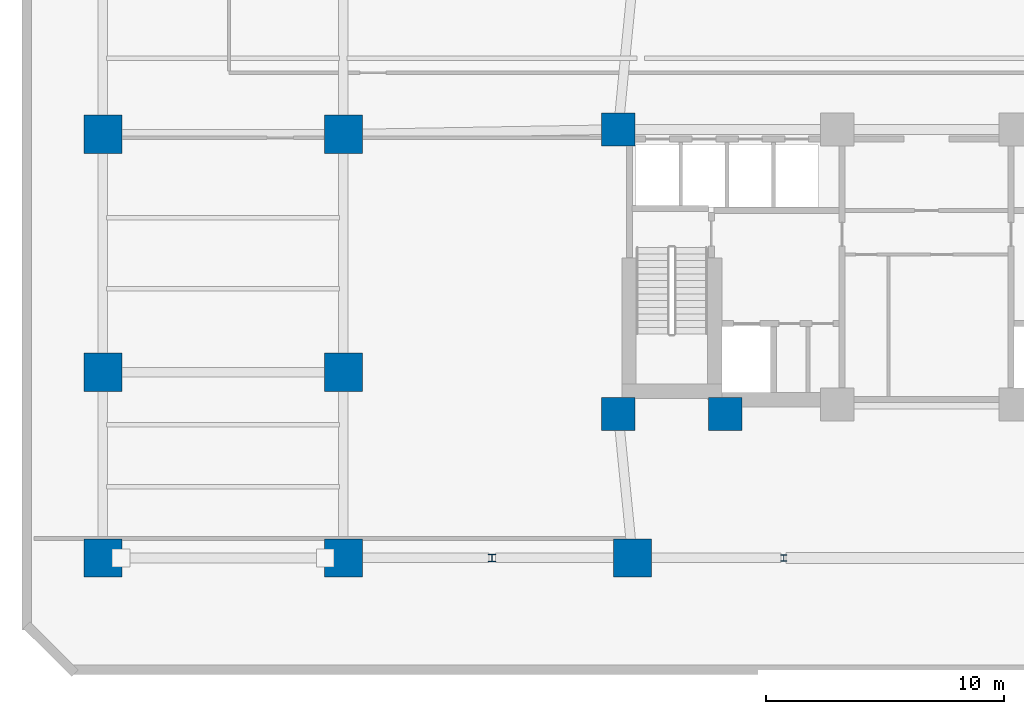
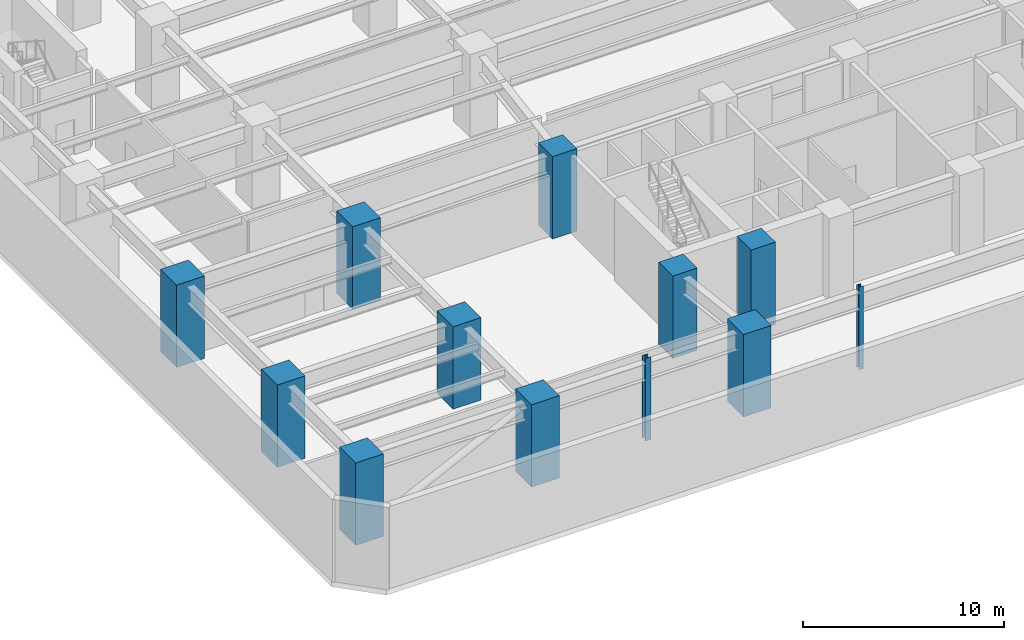
# One storey, part 1 of 12: 12 columns.
"""IFC4 building model written with IfcOpenShell, lengths in metres."""

from ifc_helpers import new_model, si_unit, direction, frame, origin, origin_2d, place, context, subcontext, project, spatial, rectangle, i_section, extrude, material, material_profile, profile_set, type_object, element, save


model = new_model("IFC4")

# Units and contexts
model_context = context("Model", 3, precision=1e-05, world=origin(), true_north=direction((0.0, 1.0)))
body_context = subcontext(model_context, "Body", "Model", "MODEL_VIEW")
ifc_project = project(units=[si_unit("LENGTHUNIT", "METRE"), si_unit("AREAUNIT", "SQUARE_METRE"), si_unit("VOLUMEUNIT", "CUBIC_METRE"), si_unit("PLANEANGLEUNIT", "RADIAN"), si_unit("MASSUNIT", "GRAM", prefix="KILO")], contexts=[model_context])

# Site, building, storey
site_placement = place(None, origin())
site = spatial("IfcSite", under=ifc_project, at=site_placement, CompositionType="ELEMENT")
building_placement = place(site_placement, origin())
building = spatial("IfcBuilding", under=site, at=building_placement, Name="Quenlor Broadcast Tower", CompositionType="ELEMENT")
storey_placement = place(building_placement, frame((0.0, 0.0, -5.0)))
storey = spatial("IfcBuildingStorey", under=building, at=storey_placement, Name="B01", CompositionType="ELEMENT", Elevation=-5.0)

# Columns
ifc_material_1 = material(Name="Concrete C65/80", Category="concrete")
ifc_material_profile_1 = material_profile(ifc_material_1, rectangle(XDim=1.39990234375, YDim=1.39990234375, at=origin_2d()))
ifc_profile_set_1 = profile_set([ifc_material_profile_1], Name="Concrete C65/80 RC1400x1400")
column_type_1 = type_object("IfcColumnType", Name="Core Corner Column Lower Concrete C65/80 1400", PredefinedType="COLUMN", material=ifc_profile_set_1)
for number, where, z_axis, x_axis, name in (
    (1, (-12.949951171875, -16.75, 0.0), (0.0, 0.0, 1.0), (1.0, 0.0, 0.0), "B01 Core Column CC1"),
    (2, (-8.449951171875, -16.75, 0.0), (0.0, 0.0, 1.0), (1.0, 0.0, 0.0), "B01 Core Column CC2"),
    (3, (-12.949951171875, -4.800048828125, 0.0), (0.0, 0.0, 1.0), (1.0, 0.0, 0.0), "B01 Core Column CC7"),
):
    element("IfcColumn", number, at=place(storey_placement, frame(where, z_axis=z_axis, x_axis=x_axis)), inside=storey, type_object=column_type_1, Name=name, PredefinedType="COLUMN", context=body_context, shape_type="SweptSolid", body=[
        extrude(rectangle(XDim=1.39990234375, YDim=1.39990234375, at=origin_2d()), origin(), (0.0, 0.0, 1.0), 5.0),
    ])
ifc_material_2 = material(Name="Steel S355", Category="steel")
ifc_material_profile_2 = material_profile(ifc_material_2, i_section(OverallWidth=0.256103515625, OverallDepth=0.260009765625, WebThickness=0.010498046875, FlangeThickness=0.017333984375, FilletRadius=0.013916015625, at=origin_2d()))
ifc_profile_set_2 = profile_set([ifc_material_profile_2], Name="Steel S355 250UC89.5")
column_type_2 = type_object("IfcColumnType", Name="Podium Gallery Post Steel S355 250UC89.5", PredefinedType="COLUMN", material=ifc_profile_set_2)
column_1_placement = place(storey_placement, frame((-6.0, -22.800048828125, 0.0), z_axis=(0.0, 0.0, 1.0), x_axis=(1.0, 0.0, 0.0)))
element("IfcColumn", 4, at=column_1_placement, inside=storey, type_object=column_type_2, Name="B01 Station Steel Column SPW2", PredefinedType="COLUMN", context=body_context, shape_type="SweptSolid", body=[
    extrude(i_section(OverallWidth=0.256103515625, OverallDepth=0.260009765625, WebThickness=0.010498046875, FlangeThickness=0.017333984375, FilletRadius=0.013916015625, at=origin_2d()), origin(), (0.0, 0.0, 1.0), 5.0),
])
ifc_material_3 = material(Name="Concrete C65/80", Category="concrete")
ifc_material_profile_3 = material_profile(ifc_material_3, rectangle(XDim=1.60009765625, YDim=1.60009765625, at=origin_2d()))
ifc_profile_set_3 = profile_set([ifc_material_profile_3], Name="Concrete C65/80 RC1600x1600")
column_type_3 = type_object("IfcColumnType", Name="Podium Mega Column Concrete C65/80 1600", PredefinedType="COLUMN", material=ifc_profile_set_3)
for number, where, z_axis, x_axis, name in (
    (5, (-34.60009765625, -22.800048828125, 0.0), (0.0, 0.0, 1.0), (1.0, 0.0, 0.0), "B01 Podium Mega Column PM1"),
    (6, (-24.5, -22.800048828125, 0.0), (0.0, 0.0, 1.0), (1.0, 0.0, 0.0), "B01 Podium Mega Column PM2"),
    (7, (-12.35009765625, -22.800048828125, 0.0), (0.0, 0.0, 1.0), (1.0, 0.0, 0.0), "B01 Podium Mega Column PM3"),
    (8, (-34.60009765625, -15.0, 0.0), (0.0, 0.0, 1.0), (1.0, 0.0, 0.0), "B01 Podium Mega Column PM7"),
    (9, (-24.5, -15.0, 0.0), (0.0, 0.0, 1.0), (1.0, 0.0, 0.0), "B01 Podium Mega Column PM8"),
    (10, (-34.60009765625, -5.0, 0.0), (0.0, 0.0, 1.0), (1.0, 0.0, 0.0), "B01 Podium Mega Column PM11"),
    (11, (-24.5, -5.0, 0.0), (0.0, 0.0, 1.0), (1.0, 0.0, 0.0), "B01 Podium Mega Column PM12"),
):
    element("IfcColumn", number, at=place(storey_placement, frame(where, z_axis=z_axis, x_axis=x_axis)), inside=storey, type_object=column_type_3, Name=name, PredefinedType="COLUMN", context=body_context, shape_type="SweptSolid", body=[
        extrude(rectangle(XDim=1.60009765625, YDim=1.60009765625, at=origin_2d()), origin(), (0.0, 0.0, 1.0), 5.0),
    ])
ifc_material_4 = material(Name="Steel S355", Category="steel")
ifc_material_profile_4 = material_profile(ifc_material_4, i_section(OverallWidth=0.31103515625, OverallDepth=0.3271484375, WebThickness=0.015625, FlangeThickness=0.02490234375, FilletRadius=0.0166015625, at=origin_2d()))
ifc_profile_set_4 = profile_set([ifc_material_profile_4], Name="Steel S355 310UC158")
column_type_4 = type_object("IfcColumnType", Name="Podium Trim Post Steel S355 310UC158", PredefinedType="COLUMN", material=ifc_profile_set_4)
column_2_placement = place(storey_placement, frame((-18.25, -22.800048828125, 0.0), z_axis=(0.0, 0.0, 1.0), x_axis=(1.0, 0.0, 0.0)))
element("IfcColumn", 12, at=column_2_placement, inside=storey, type_object=column_type_4, Name="B01 Station Steel Column SPW1", PredefinedType="COLUMN", context=body_context, shape_type="SweptSolid", body=[
    extrude(i_section(OverallWidth=0.31103515625, OverallDepth=0.3271484375, WebThickness=0.015625, FlangeThickness=0.02490234375, FilletRadius=0.0166015625, at=origin_2d()), origin(), (0.0, 0.0, 1.0), 5.0),
])

save(model, "model.ifc")
